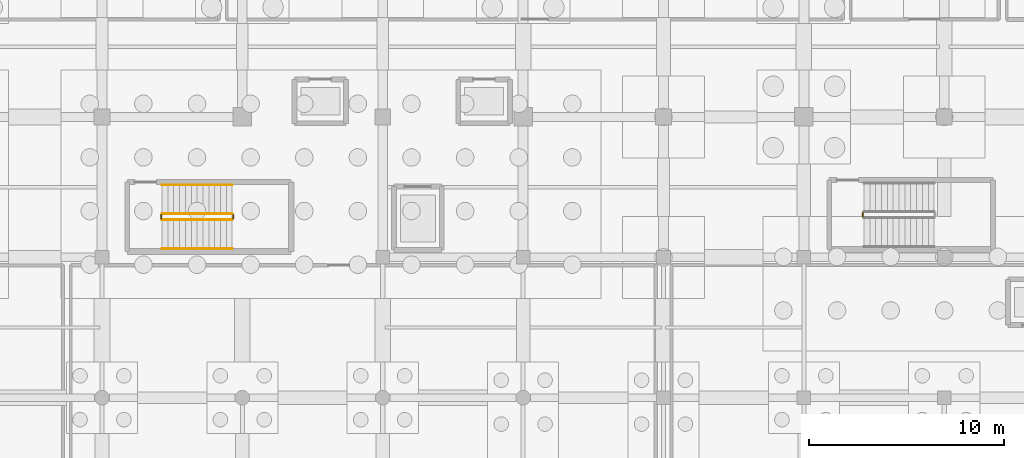
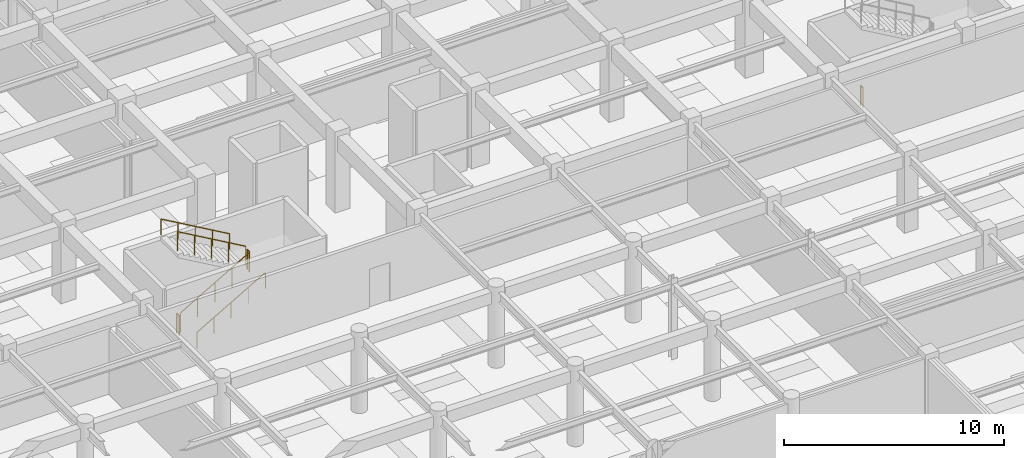
# One storey, part 45 of 48: 7 railings.
"""IFC4 building model written with IfcOpenShell, lengths in metres."""

from ifc_helpers import new_model, si_unit, direction, frame, origin, origin_2d, place, context, subcontext, project, spatial, circle, extrude, material, layer, layer_set, type_object, element, save


model = new_model("IFC4")

# Units and contexts
model_context = context("Model", 3, precision=1e-05, world=origin(), true_north=direction((0.0, 1.0)))
body_context = subcontext(model_context, "Body", "Model", "MODEL_VIEW")
ifc_project = project(units=[si_unit("LENGTHUNIT", "METRE"), si_unit("AREAUNIT", "SQUARE_METRE"), si_unit("VOLUMEUNIT", "CUBIC_METRE"), si_unit("PLANEANGLEUNIT", "RADIAN"), si_unit("MASSUNIT", "GRAM", prefix="KILO")], contexts=[model_context])

# Site, building, storey
site_placement = place(None, origin())
site = spatial("IfcSite", under=ifc_project, at=site_placement, CompositionType="ELEMENT")
building_placement = place(site_placement, origin())
building = spatial("IfcBuilding", under=site, at=building_placement, Name="Carrowvane Square Congress Hotel", CompositionType="ELEMENT")
storey_placement = place(building_placement, frame((0.0, 0.0, -4.5)))
storey = spatial("IfcBuildingStorey", under=building, at=storey_placement, Name="B01", CompositionType="ELEMENT", Elevation=-4.5)

# Railings
ifc_material_1 = material(Name="Stainless steel 316", Category="steel")
ifc_layer_1 = layer(ifc_material_1, 0.048095703125)
ifc_layer_set_1 = layer_set([ifc_layer_1], Name="Stainless steel 316")
railing_type_1 = type_object("IfcRailingType", Name="RLG-HR-900", PredefinedType="HANDRAIL", material=ifc_layer_set_1)
railing_1_placement = place(storey_placement, frame((101.080078125, 92.25, 0.173095703125)))
element("IfcRailing", 1, at=railing_1_placement, inside=storey, type_object=railing_type_1, Name="B01 ST3 stair handrail 1", PredefinedType="HANDRAIL", context=body_context, shape_type="SweptSolid", body=[
    extrude(circle(Radius=0.02392578125, at=origin_2d()), frame((0.0, 0.0, 0.8759765625), z_axis=(0.866178740119, 0.0, 0.499734319579), x_axis=(0.0, 1.0, 0.0)), (0.0, 0.0, 1.0), 4.156005859375),
    extrude(circle(Radius=0.02099609375, at=origin_2d()), origin(), (0.0, 0.0, 1.0), 0.851806640625),
    extrude(circle(Radius=0.02099609375, at=origin_2d()), frame((0.89990234375, 0.0, 0.519287109375)), (0.0, 0.0, 1.0), 0.851806640625),
    extrude(circle(Radius=0.02099609375, at=origin_2d()), frame((1.7998046875, 0.0, 1.03857421875)), (0.0, 0.0, 1.0), 0.851806640625),
    extrude(circle(Radius=0.02099609375, at=origin_2d()), frame((2.699951171875, 0.0, 1.5576171875)), (0.0, 0.0, 1.0), 0.851806640625),
    extrude(circle(Radius=0.02099609375, at=origin_2d()), frame((3.599853515625, 0.0, 2.076904296875)), (0.0, 0.0, 1.0), 0.851806640625),
])
railing_2_placement = place(storey_placement, frame((104.679931640625, 95.510009765625, 2.423095703125)))
element("IfcRailing", 2, at=railing_2_placement, inside=storey, type_object=railing_type_1, Name="B01 ST3 stair handrail 2", PredefinedType="HANDRAIL", context=body_context, shape_type="SweptSolid", body=[
    extrude(circle(Radius=0.02392578125, at=origin_2d()), frame((0.0, 0.0, 0.8759765625), z_axis=(-0.866178740119, 0.0, 0.499734319579), x_axis=(0.0, -1.0, 0.0)), (0.0, 0.0, 1.0), 4.156005859375),
    extrude(circle(Radius=0.02099609375, at=origin_2d()), origin(), (0.0, 0.0, 1.0), 0.851806640625),
    extrude(circle(Radius=0.02099609375, at=origin_2d()), frame((-0.89990234375, 0.0, 0.519287109375)), (0.0, 0.0, 1.0), 0.851806640625),
    extrude(circle(Radius=0.02099609375, at=origin_2d()), frame((-1.7998046875, 0.0, 1.03857421875)), (0.0, 0.0, 1.0), 0.851806640625),
    extrude(circle(Radius=0.02099609375, at=origin_2d()), frame((-2.699951171875, 0.0, 1.5576171875)), (0.0, 0.0, 1.0), 0.851806640625),
    extrude(circle(Radius=0.02099609375, at=origin_2d()), frame((-3.599853515625, 0.0, 2.076904296875)), (0.0, 0.0, 1.0), 0.851806640625),
])
ifc_material_2 = material(Name="Galvanised steel", Category="steel")
ifc_layer_2 = layer(ifc_material_2, 0.048095703125)
ifc_layer_set_2 = layer_set([ifc_layer_2], Name="Galvanised steel")
railing_type_2 = type_object("IfcRailingType", Name="RLG-STG-1100", PredefinedType="GUARDRAIL", material=ifc_layer_set_2)
railing_3_placement = place(storey_placement, frame((101.080078125, 93.72998046875, 0.173095703125)))
element("IfcRailing", 3, at=railing_3_placement, inside=storey, type_object=railing_type_2, Name="B01 ST3 stair guard 1", PredefinedType="GUARDRAIL", context=body_context, shape_type="SweptSolid", body=[
    extrude(circle(Radius=0.02392578125, at=origin_2d()), frame((0.0, 0.0, 1.076171875), z_axis=(0.866178740119, 0.0, 0.499734319579), x_axis=(0.0, 1.0, 0.0)), (0.0, 0.0, 1.0), 4.156005859375),
    extrude(circle(Radius=0.02099609375, at=origin_2d()), origin(), (0.0, 0.0, 1.0), 1.052001953125),
    extrude(circle(Radius=0.02099609375, at=origin_2d()), frame((0.89990234375, 0.0, 0.519287109375)), (0.0, 0.0, 1.0), 1.052001953125),
    extrude(circle(Radius=0.02099609375, at=origin_2d()), frame((1.7998046875, 0.0, 1.03857421875)), (0.0, 0.0, 1.0), 1.052001953125),
    extrude(circle(Radius=0.02099609375, at=origin_2d()), frame((2.699951171875, 0.0, 1.5576171875)), (0.0, 0.0, 1.0), 1.052001953125),
    extrude(circle(Radius=0.02099609375, at=origin_2d()), frame((3.599853515625, 0.0, 2.076904296875)), (0.0, 0.0, 1.0), 1.052001953125),
])
railing_4_placement = place(storey_placement, frame((104.72998046875, 93.780029296875, 2.25)))
element("IfcRailing", 4, at=railing_4_placement, inside=storey, type_object=railing_type_2, Name="B01 ST3 stair guard 2", PredefinedType="GUARDRAIL", context=body_context, shape_type="SweptSolid", body=[
    extrude(circle(Radius=0.02392578125, at=origin_2d()), frame((0.0, 0.0, 1.076171875), z_axis=(0.0, 1.0, 0.0), x_axis=(-1.0, 0.0, 0.0)), (0.0, 0.0, 1.0), 0.199951171875),
    extrude(circle(Radius=0.02099609375, at=origin_2d()), origin(), (0.0, 0.0, 1.0), 1.052001953125),
    extrude(circle(Radius=0.02099609375, at=origin_2d()), frame((0.0, 0.199951171875, 0.0)), (0.0, 0.0, 1.0), 1.052001953125),
])
railing_5_placement = place(storey_placement, frame((104.679931640625, 94.030029296875, 2.423095703125)))
element("IfcRailing", 5, at=railing_5_placement, inside=storey, type_object=railing_type_2, Name="B01 ST3 stair guard 3", PredefinedType="GUARDRAIL", context=body_context, shape_type="SweptSolid", body=[
    extrude(circle(Radius=0.02392578125, at=origin_2d()), frame((0.0, 0.0, 1.076171875), z_axis=(-0.866178740119, 0.0, 0.499734319579), x_axis=(0.0, -1.0, 0.0)), (0.0, 0.0, 1.0), 4.156005859375),
    extrude(circle(Radius=0.02099609375, at=origin_2d()), origin(), (0.0, 0.0, 1.0), 1.052001953125),
    extrude(circle(Radius=0.02099609375, at=origin_2d()), frame((-0.89990234375, 0.0, 0.519287109375)), (0.0, 0.0, 1.0), 1.052001953125),
    extrude(circle(Radius=0.02099609375, at=origin_2d()), frame((-1.7998046875, 0.0, 1.03857421875)), (0.0, 0.0, 1.0), 1.052001953125),
    extrude(circle(Radius=0.02099609375, at=origin_2d()), frame((-2.699951171875, 0.0, 1.5576171875)), (0.0, 0.0, 1.0), 1.052001953125),
    extrude(circle(Radius=0.02099609375, at=origin_2d()), frame((-3.599853515625, 0.0, 2.076904296875)), (0.0, 0.0, 1.0), 1.052001953125),
])
railing_6_placement = place(storey_placement, frame((101.030029296875, 93.780029296875, 0.0)))
element("IfcRailing", 6, at=railing_6_placement, inside=storey, type_object=railing_type_2, Name="B01 ST3 stair guard 4", PredefinedType="GUARDRAIL", context=body_context, shape_type="SweptSolid", body=[
    extrude(circle(Radius=0.02392578125, at=origin_2d()), frame((0.0, 0.0, 1.076171875), z_axis=(0.0, 1.0, 0.0), x_axis=(-1.0, 0.0, 0.0)), (0.0, 0.0, 1.0), 0.199951171875),
    extrude(circle(Radius=0.02099609375, at=origin_2d()), origin(), (0.0, 0.0, 1.0), 1.052001953125),
    extrude(circle(Radius=0.02099609375, at=origin_2d()), frame((0.0, 0.199951171875, 0.0)), (0.0, 0.0, 1.0), 1.052001953125),
])
railing_7_placement = place(storey_placement, frame((137.030029296875, 93.8798828125, 0.0)))
element("IfcRailing", 7, at=railing_7_placement, inside=storey, type_object=railing_type_2, Name="B01 ST12 stair guard 4", PredefinedType="GUARDRAIL", context=body_context, shape_type="SweptSolid", body=[
    extrude(circle(Radius=0.02392578125, at=origin_2d()), frame((0.0, 0.0, 1.076171875), z_axis=(0.0, 1.0, 0.0), x_axis=(-1.0, 0.0, 0.0)), (0.0, 0.0, 1.0), 0.2001953125),
    extrude(circle(Radius=0.02099609375, at=origin_2d()), origin(), (0.0, 0.0, 1.0), 1.052001953125),
    extrude(circle(Radius=0.02099609375, at=origin_2d()), frame((0.0, 0.2001953125, 0.0)), (0.0, 0.0, 1.0), 1.052001953125),
])

save(model, "model.ifc")
